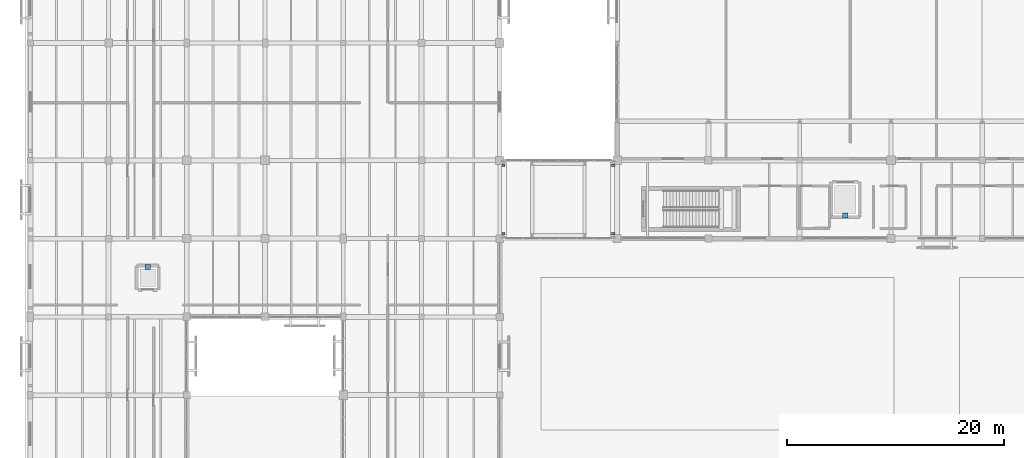
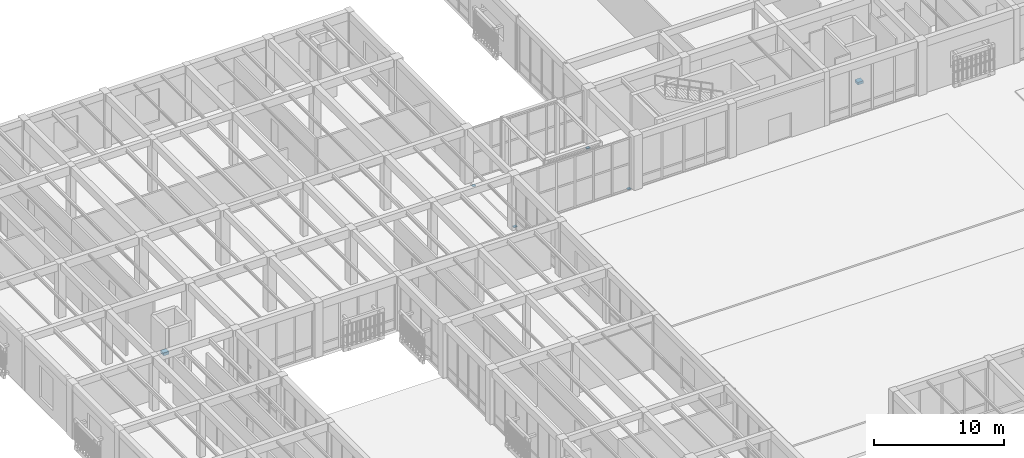
# One storey, part 140 of 169: 6 discrete accessories.
"""IFC4 building model written with IfcOpenShell, lengths in metres."""

from ifc_helpers import new_model, si_unit, direction, frame, origin, origin_2d, place, context, subcontext, project, spatial, rectangle, extrude, material, type_object, element, save


model = new_model("IFC4")

# Units and contexts
model_context = context("Model", 3, precision=1e-05, world=origin(), true_north=direction((0.0, 1.0)))
body_context = subcontext(model_context, "Body", "Model", "MODEL_VIEW")
ifc_project = project(units=[si_unit("LENGTHUNIT", "METRE"), si_unit("AREAUNIT", "SQUARE_METRE"), si_unit("VOLUMEUNIT", "CUBIC_METRE"), si_unit("PLANEANGLEUNIT", "RADIAN"), si_unit("MASSUNIT", "GRAM", prefix="KILO")], contexts=[model_context])

# Site, building, storey
site_placement = place(None, origin())
site = spatial("IfcSite", under=ifc_project, at=site_placement, CompositionType="ELEMENT")
building_placement = place(site_placement, origin())
building = spatial("IfcBuilding", under=site, at=building_placement, Name="Mazaris Harbour Polytechnic", CompositionType="ELEMENT")
storey_placement = place(building_placement, origin())
storey = spatial("IfcBuildingStorey", under=building, at=storey_placement, Name="L00", CompositionType="ELEMENT", Elevation=0.0)

# Discrete accessories
ifc_material_1 = material(Name="Steel S355", Category="steel")
discrete_accessory_type_1 = type_object("IfcDiscreteAccessoryType", Name="PTFE Sliding Bridge Bearing 300x250x65 Exterior", PredefinedType="BRACKET", material=ifc_material_1)
for number, where, z_axis, x_axis, name in (
    (1, (43.550048828125, 76.050048828125, -0.330078125), (0.0, 0.0, 1.0), (1.0, 0.0, 0.0), "PB-W2 L00 PTFE Sliding Bearing W1"),
    (2, (43.550048828125, 82.35009765625, -0.330078125), (0.0, 0.0, 1.0), (1.0, 0.0, 0.0), "PB-W2 L00 PTFE Sliding Bearing W2"),
    (3, (53.64990234375, 76.050048828125, -0.330078125), (0.0, 0.0, 1.0), (1.0, 0.0, 0.0), "PB-W2 L00 PTFE Sliding Bearing E1"),
    (4, (53.64990234375, 82.35009765625, -0.330078125), (0.0, 0.0, 1.0), (1.0, 0.0, 0.0), "PB-W2 L00 PTFE Sliding Bearing E2"),
):
    element("IfcDiscreteAccessory", number, at=place(storey_placement, frame(where, z_axis=z_axis, x_axis=x_axis)), inside=storey, type_object=discrete_accessory_type_1, Name=name, PredefinedType="BRACKET", context=body_context, shape_type="SweptSolid", body=[
        extrude(rectangle(XDim=0.300048828125, YDim=0.25, at=origin_2d()), origin(), (0.0, 0.0, 1.0), 0.06494140625),
    ])
ifc_material_2 = material(Name="Stainless Steel S355", Category="steel")
discrete_accessory_type_2 = type_object("IfcDiscreteAccessoryType", Name="Stainless Lift Guide Rail Bracket 480x480x240", PredefinedType="BRACKET", material=ifc_material_2)
for number, where, z_axis, x_axis, name in (
    (5, (10.800048828125, 72.97998046875, 1.1298828125), (0.0, 0.0, 1.0), (1.0, 0.0, 0.0), "Lift LP-01 Guide Rail Bracket"),
    (6, (75.0, 77.719970703125, 1.1298828125), (0.0, 0.0, 1.0), (1.0, 0.0, 0.0), "Lift LG-01 Guide Rail Bracket"),
):
    element("IfcDiscreteAccessory", number, at=place(storey_placement, frame(where, z_axis=z_axis, x_axis=x_axis)), inside=storey, type_object=discrete_accessory_type_2, Name=name, PredefinedType="BRACKET", context=body_context, shape_type="SweptSolid", body=[
        extrude(rectangle(XDim=0.47998046875, YDim=0.47998046875, at=origin_2d()), origin(), (0.0, 0.0, 1.0), 0.239990234375),
    ])

save(model, "model.ifc")
